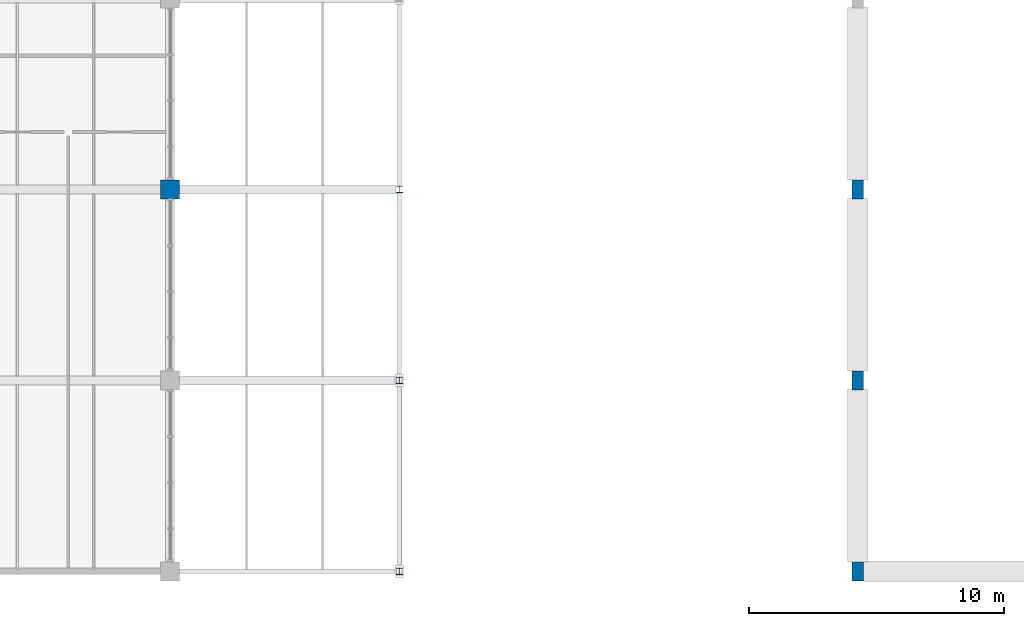
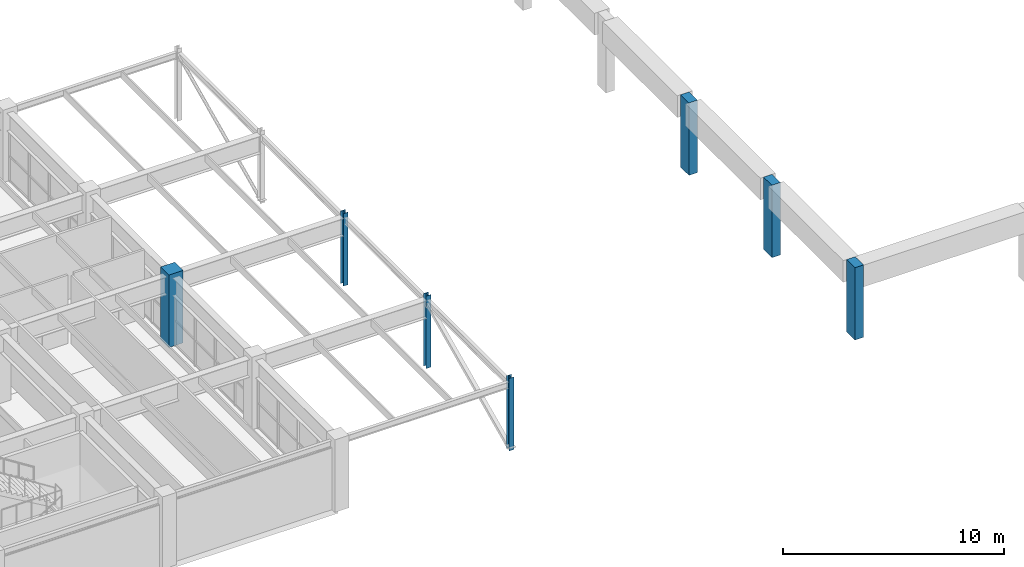
# One storey, part 2 of 76: 7 columns.
"""IFC4 building model written with IfcOpenShell, lengths in metres."""

from ifc_helpers import new_model, si_unit, direction, frame, origin, origin_2d, place, context, subcontext, project, spatial, rectangle, i_section, extrude, material, material_profile, profile_set, type_object, element, save


model = new_model("IFC4")

# Units and contexts
model_context = context("Model", 3, precision=1e-05, world=origin(), true_north=direction((0.0, 1.0)))
body_context = subcontext(model_context, "Body", "Model", "MODEL_VIEW")
ifc_project = project(units=[si_unit("LENGTHUNIT", "METRE"), si_unit("AREAUNIT", "SQUARE_METRE"), si_unit("VOLUMEUNIT", "CUBIC_METRE"), si_unit("PLANEANGLEUNIT", "RADIAN"), si_unit("MASSUNIT", "GRAM", prefix="KILO")], contexts=[model_context])

# Site, building, storey
site_placement = place(None, origin())
site = spatial("IfcSite", under=ifc_project, at=site_placement, CompositionType="ELEMENT")
building_placement = place(site_placement, origin())
building = spatial("IfcBuilding", under=site, at=building_placement, Name="Marnridge Secondary College", CompositionType="ELEMENT")
storey_placement = place(building_placement, frame((0.0, 0.0, 4.5)))
storey = spatial("IfcBuildingStorey", under=building, at=storey_placement, Name="L01", CompositionType="ELEMENT", Elevation=4.5)

# Columns
ifc_material_1 = material(Name="Concrete C40/50 (AS 3600 N40, 40 MPa)", Category="concrete")
ifc_material_profile_1 = material_profile(ifc_material_1, rectangle(XDim=0.449951171875, YDim=0.75, at=origin_2d()), Name="RC 450x750")
ifc_profile_set_1 = profile_set([ifc_material_profile_1], Name="Concrete C40/50 (AS 3600 N40, 40 MPa)")
column_type_1 = type_object("IfcColumnType", Name="CL-RC4575-EXT", PredefinedType="COLUMN", material=ifc_profile_set_1)
for number, where, z_axis, x_axis, name in (
    (1, (63.0, 0.0, 0.0), (0.0, 0.0, 1.0), (1.0, 0.0, 0.0), "Column C-L01-0031"),
    (2, (63.0, 7.5, 0.0), (0.0, 0.0, 1.0), (1.0, 0.0, 0.0), "Column C-L01-0083"),
    (3, (63.0, 15.0, 0.0), (0.0, 0.0, 1.0), (1.0, 0.0, 0.0), "Column C-L01-0128"),
):
    element("IfcColumn", number, at=place(storey_placement, frame(where, z_axis=z_axis, x_axis=x_axis)), inside=storey, type_object=column_type_1, Name=name, PredefinedType="COLUMN", context=body_context, shape_type="SweptSolid", body=[
        extrude(rectangle(XDim=0.449951171875, YDim=0.75, at=origin_2d()), origin(), (0.0, 0.0, 1.0), 4.0),
    ])
ifc_material_2 = material(Name="Concrete C50/60 (AS 3600 N50, 50 MPa)", Category="concrete")
ifc_material_profile_2 = material_profile(ifc_material_2, rectangle(XDim=0.75, YDim=0.75, at=origin_2d()), Name="RC 750x750")
ifc_profile_set_2 = profile_set([ifc_material_profile_2], Name="Concrete C50/60 (AS 3600 N50, 50 MPa)")
column_type_2 = type_object("IfcColumnType", Name="CL-RC750-EXT", PredefinedType="COLUMN", material=ifc_profile_set_2)
column_placement = place(storey_placement, frame((36.0, 15.0, 0.0), z_axis=(0.0, 0.0, 1.0), x_axis=(1.0, 0.0, 0.0)))
element("IfcColumn", 4, at=column_placement, inside=storey, type_object=column_type_2, Name="Column C-L01-0119", PredefinedType="COLUMN", context=body_context, shape_type="SweptSolid", body=[
    extrude(rectangle(XDim=0.75, YDim=0.75, at=origin_2d()), origin(), (0.0, 0.0, 1.0), 4.0),
])
ifc_material_3 = material(Name="Structural steel Grade 350 (AS/NZS 3679.1/.2, fy = 340-360 MPa)", Category="steel")
ifc_material_profile_3 = material_profile(ifc_material_3, i_section(OverallWidth=0.25390625, OverallDepth=0.25390625, WebThickness=0.008544921875, FlangeThickness=0.01416015625, FilletRadius=0.0126953125, at=origin_2d()), Name="250UC72.9")
ifc_profile_set_3 = profile_set([ifc_material_profile_3], Name="Structural steel Grade 350 (AS/NZS 3679.1/.2, fy = 340-360 MPa)")
column_type_3 = type_object("IfcColumnType", Name="CL-UC250-EXT", PredefinedType="COLUMN", material=ifc_profile_set_3)
for number, where, z_axis, x_axis, name in (
    (5, (45.0, 0.0, 0.0), (0.0, 0.0, 1.0), (1.0, 0.0, 0.0), "Column C-L01-0027"),
    (6, (45.0, 7.5, 0.0), (0.0, 0.0, 1.0), (1.0, 0.0, 0.0), "Column C-L01-0079"),
    (7, (45.0, 15.0, 0.0), (0.0, 0.0, 1.0), (1.0, 0.0, 0.0), "Column C-L01-0124"),
):
    element("IfcColumn", number, at=place(storey_placement, frame(where, z_axis=z_axis, x_axis=x_axis)), inside=storey, type_object=column_type_3, Name=name, PredefinedType="COLUMN", context=body_context, shape_type="SweptSolid", body=[
        extrude(i_section(OverallWidth=0.25390625, OverallDepth=0.25390625, WebThickness=0.008544921875, FlangeThickness=0.01416015625, FilletRadius=0.0126953125, at=origin_2d()), origin(), (0.0, 0.0, 1.0), 4.0),
    ])

save(model, "model.ifc")
